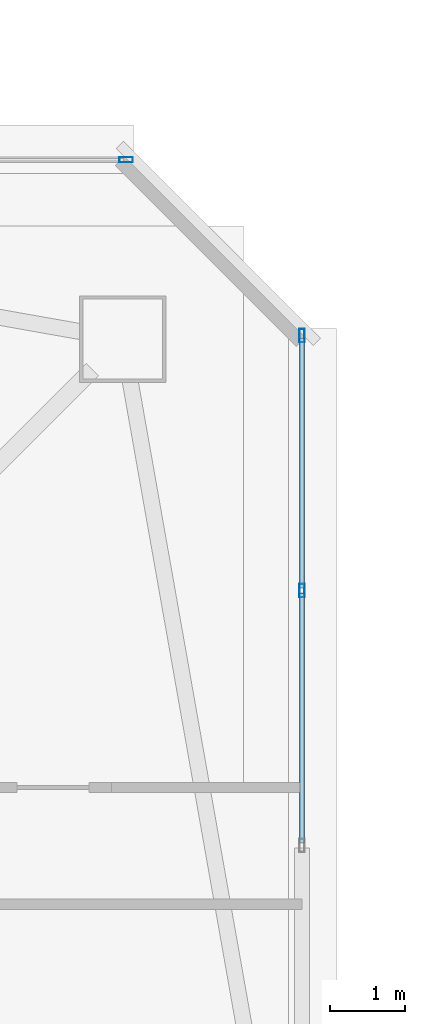
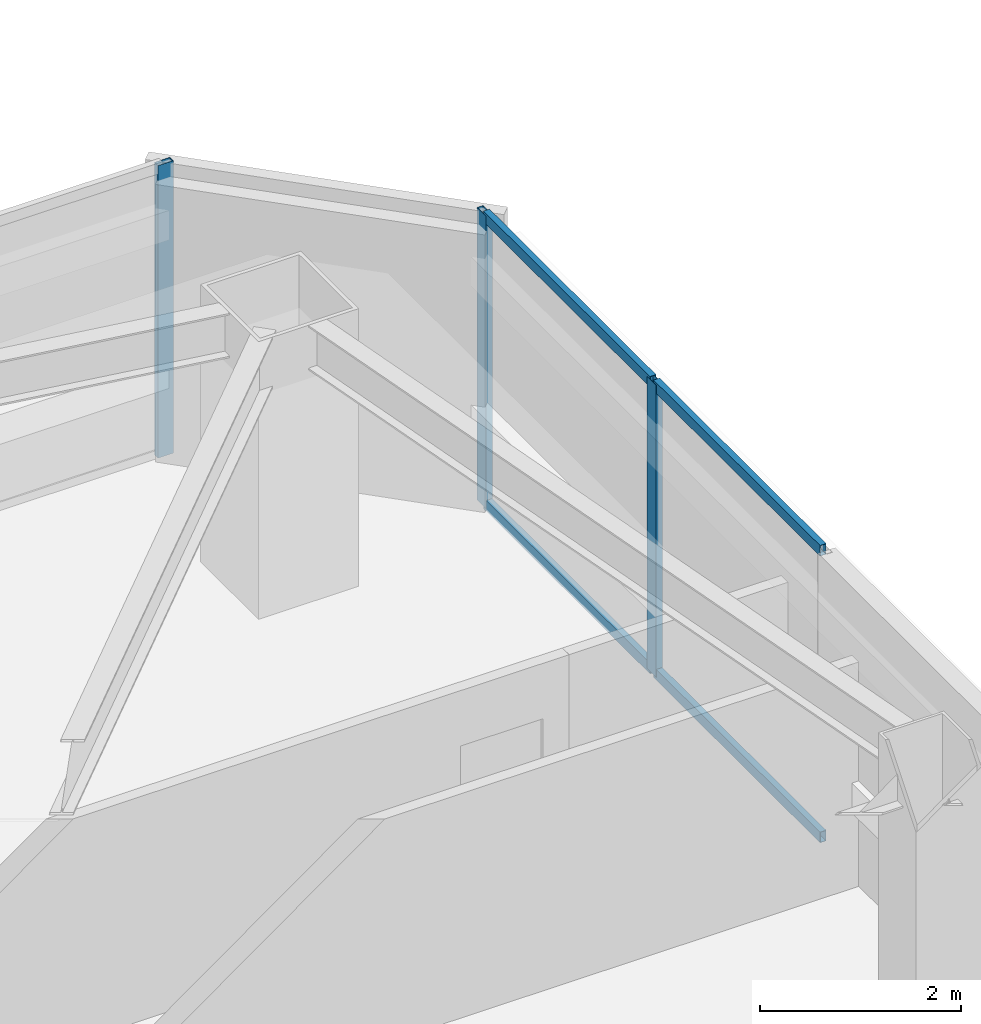
# One storey, part 17 of 44: 7 members, 2 elements without a shape of their own.
"""IFC4 building model written with IfcOpenShell, lengths in metres."""

from ifc_helpers import new_model, si_unit, direction, frame, origin, origin_2d, place, context, subcontext, project, spatial, hollow_rectangle, extrude, material, material_profile, profile_set, type_object, element, aggregate, save


model = new_model("IFC4")

# Units and contexts
model_context = context("Model", 3, precision=1e-05, world=origin(), true_north=direction((0.0, 1.0)))
body_context = subcontext(model_context, "Body", "Model", "MODEL_VIEW")
ifc_project = project(units=[si_unit("LENGTHUNIT", "METRE"), si_unit("AREAUNIT", "SQUARE_METRE"), si_unit("VOLUMEUNIT", "CUBIC_METRE"), si_unit("PLANEANGLEUNIT", "RADIAN"), si_unit("MASSUNIT", "GRAM", prefix="KILO")], contexts=[model_context])

# Site, building, storey
site_placement = place(None, origin())
site = spatial("IfcSite", under=ifc_project, at=site_placement, CompositionType="ELEMENT")
building_placement = place(site_placement, origin())
building = spatial("IfcBuilding", under=site, at=building_placement, Name="Tashvorn Skyway Center", CompositionType="ELEMENT")
storey_placement = place(building_placement, frame((0.0, 0.0, 181.85009765625)))
storey = spatial("IfcBuildingStorey", under=building, at=storey_placement, Name="L49", CompositionType="ELEMENT", Elevation=181.85009765625)

# Curtain wall, member
ifc_material = material(Name="Thermally broken bronze-anodized aluminium 6063-T6", Category="aluminium")
curtain_wall_type = type_object("IfcCurtainWallType", Name="CW-CW-Z4", PredefinedType="NOTDEFINED", material=ifc_material)
curtain_wall_1_placement = place(storey_placement, origin())
curtain_wall_1 = element("IfcCurtainWall", 1, at=curtain_wall_1_placement, inside=storey, type_object=curtain_wall_type, Name="Tower 1 L49 North Unitised Curtain Wall Glazing Group 3", PredefinedType="NOTDEFINED")
ifc_material_profile_1 = material_profile(ifc_material, hollow_rectangle(XDim=0.070068359375, YDim=0.179931640625, WallThickness=0.00390625, at=origin_2d()), Name="ALU-MULL-70x180")
ifc_profile_set_1 = profile_set([ifc_material_profile_1], Name="Thermally broken bronze-anodized aluminium 6063-T6")
member_type_1 = type_object("IfcMemberType", Name="CWM-CW-Z4", PredefinedType="MULLION", material=ifc_profile_set_1)
member_1_placement = place(storey_placement, frame((57.344970703125, 49.679931640625, 0.0), z_axis=(0.0, 0.0, 1.0), x_axis=(0.0, 1.0, 0.0)))
member_1 = element("IfcMember", 2, at=member_1_placement, type_object=member_type_1, Name="CW-Z4 mullion 3", PredefinedType="MULLION", context=body_context, shape_type="SweptSolid", body=[
    extrude(hollow_rectangle(XDim=0.070068359375, YDim=0.179931640625, WallThickness=0.00390625, at=origin_2d()), origin(), (0.0, 0.0, 1.0), 3.5498046875),
])
aggregate(curtain_wall_1, [member_1])

# Curtain wall, members
curtain_wall_2_placement = place(storey_placement, origin())
curtain_wall_2 = element("IfcCurtainWall", 3, at=curtain_wall_2_placement, inside=storey, type_object=curtain_wall_type, Name="Tower 1 L49 East Unitised Curtain Wall Glazing Group 1", PredefinedType="NOTDEFINED")
member_2_placement = place(storey_placement, frame((59.679931640625, 47.344970703125, 0.0), z_axis=(0.0, 0.0, 1.0), x_axis=(1.0, 0.0, 0.0)))
member_2 = element("IfcMember", 4, at=member_2_placement, type_object=member_type_1, Name="CW-Z4 mullion 1", PredefinedType="MULLION", context=body_context, shape_type="SweptSolid", body=[
    extrude(hollow_rectangle(XDim=0.070068359375, YDim=0.179931640625, WallThickness=0.00390625, at=origin_2d()), origin(), (0.0, 0.0, 1.0), 3.5498046875),
])
member_3_placement = place(storey_placement, frame((59.679931640625, 43.962158203125, 0.0), z_axis=(0.0, 0.0, 1.0), x_axis=(1.0, 0.0, 0.0)))
member_3 = element("IfcMember", 5, at=member_3_placement, type_object=member_type_1, Name="CW-Z4 mullion 2", PredefinedType="MULLION", context=body_context, shape_type="SweptSolid", body=[
    extrude(hollow_rectangle(XDim=0.070068359375, YDim=0.179931640625, WallThickness=0.00390625, at=origin_2d()), origin(), (0.0, 0.0, 1.0), 3.5498046875),
])
ifc_material_profile_2 = material_profile(ifc_material, hollow_rectangle(XDim=0.070068359375, YDim=0.1298828125, WallThickness=0.00390625, at=origin_2d()), Name="ALU-TRAN-70x130")
ifc_profile_set_2 = profile_set([ifc_material_profile_2], Name="Thermally broken bronze-anodized aluminium 6063-T6")
member_type_2 = type_object("IfcMemberType", Name="CWT-CW-Z4", PredefinedType="USERDEFINED", material=ifc_profile_set_2)
member_4_placement = place(storey_placement, frame((59.679931640625, 47.31005859375, 0.034912109375), z_axis=(0.0, -1.0, 0.0), x_axis=(1.0, 0.0, 0.0)))
member_4 = element("IfcMember", 6, at=member_4_placement, type_object=member_type_2, Name="CW-Z4 transom 1.1", ObjectType="TRANSOM", PredefinedType="USERDEFINED", context=body_context, shape_type="SweptSolid", body=[
    extrude(hollow_rectangle(XDim=0.070068359375, YDim=0.1298828125, WallThickness=0.00390625, at=origin_2d()), origin(), (0.0, 0.0, 1.0), 3.312744140625),
])
member_5_placement = place(storey_placement, frame((59.679931640625, 47.31005859375, 3.514892578125), z_axis=(0.0, -1.0, 0.0), x_axis=(1.0, 0.0, 0.0)))
member_5 = element("IfcMember", 7, at=member_5_placement, type_object=member_type_2, Name="CW-Z4 transom 1.2", ObjectType="TRANSOM", PredefinedType="USERDEFINED", context=body_context, shape_type="SweptSolid", body=[
    extrude(hollow_rectangle(XDim=0.070068359375, YDim=0.1298828125, WallThickness=0.00390625, at=origin_2d()), origin(), (0.0, 0.0, 1.0), 3.312744140625),
])
member_6_placement = place(storey_placement, frame((59.679931640625, 43.92724609375, 0.034912109375), z_axis=(0.0, -1.0, 0.0), x_axis=(1.0, 0.0, 0.0)))
member_6 = element("IfcMember", 8, at=member_6_placement, type_object=member_type_2, Name="CW-Z4 transom 2.1", ObjectType="TRANSOM", PredefinedType="USERDEFINED", context=body_context, shape_type="SweptSolid", body=[
    extrude(hollow_rectangle(XDim=0.070068359375, YDim=0.1298828125, WallThickness=0.00390625, at=origin_2d()), origin(), (0.0, 0.0, 1.0), 3.312744140625),
])
member_7_placement = place(storey_placement, frame((59.679931640625, 43.92724609375, 3.514892578125), z_axis=(0.0, -1.0, 0.0), x_axis=(1.0, 0.0, 0.0)))
member_7 = element("IfcMember", 9, at=member_7_placement, type_object=member_type_2, Name="CW-Z4 transom 2.2", ObjectType="TRANSOM", PredefinedType="USERDEFINED", context=body_context, shape_type="SweptSolid", body=[
    extrude(hollow_rectangle(XDim=0.070068359375, YDim=0.1298828125, WallThickness=0.00390625, at=origin_2d()), origin(), (0.0, 0.0, 1.0), 3.312744140625),
])
aggregate(curtain_wall_2, [member_2, member_3, member_4, member_5, member_6, member_7])

save(model, "model.ifc")
